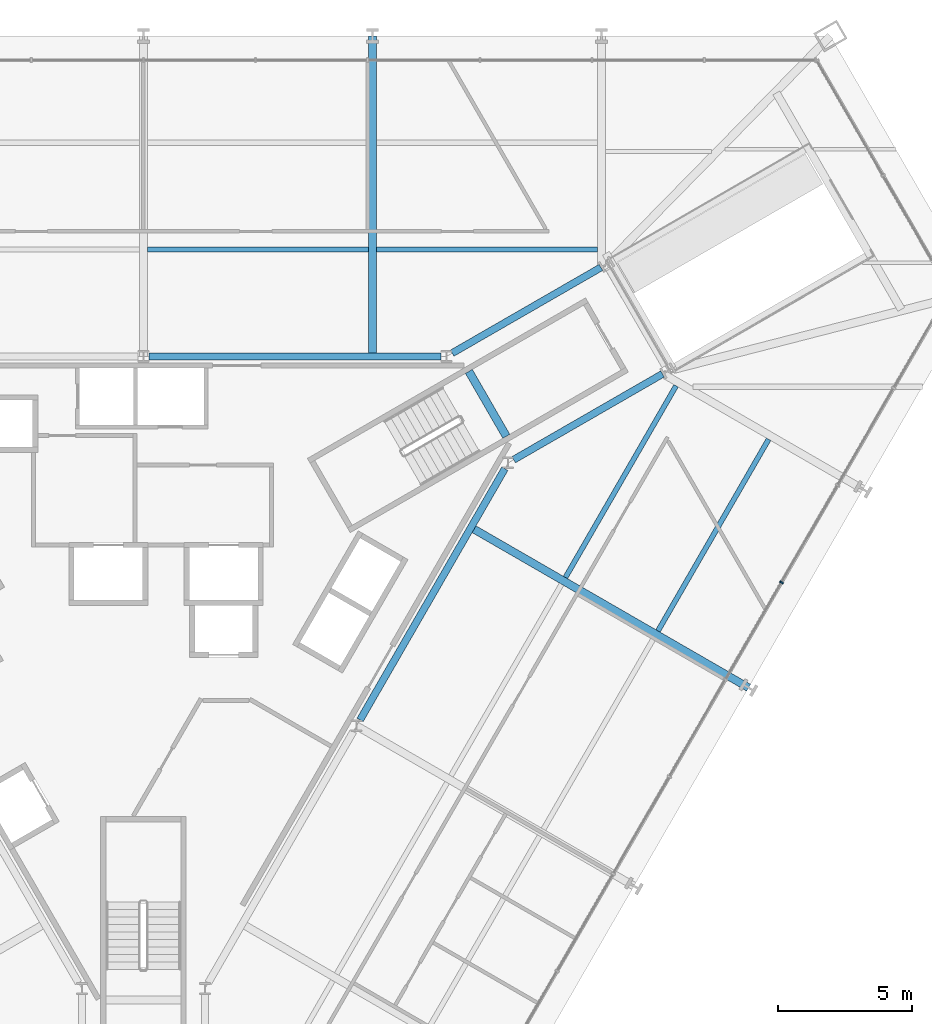
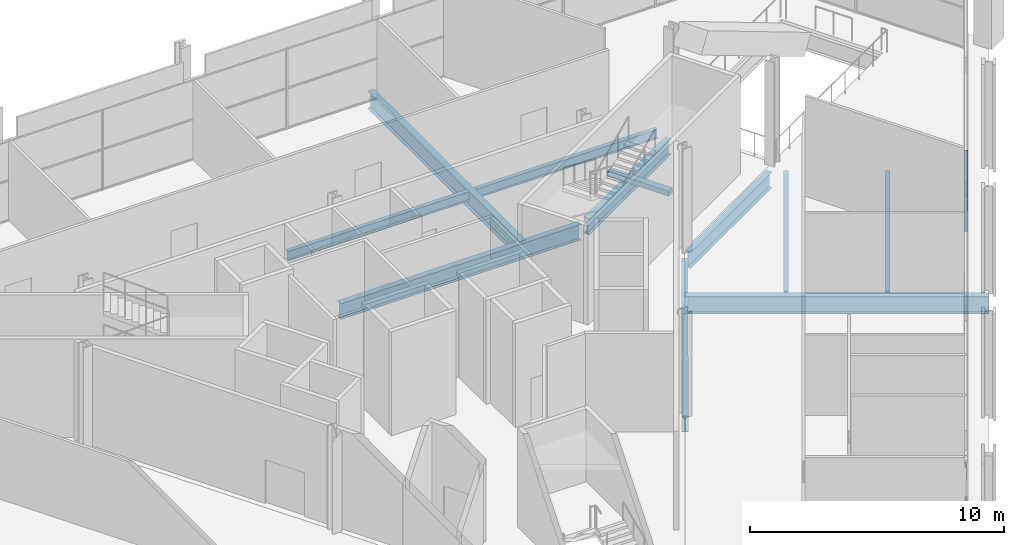
# One storey, part 8 of 20: 11 beams, 1 member, 1 element without a shape of its own.
"""IFC4 building model written with IfcOpenShell, lengths in metres."""

from ifc_helpers import new_model, si_unit, direction, frame, origin, origin_2d, place, context, subcontext, project, spatial, rectangle, i_section, extrude, material, layer, layer_set, material_profile, profile_set, type_object, element, aggregate, save


model = new_model("IFC4")

# Units and contexts
model_context = context("Model", 3, precision=1e-05, world=origin(), true_north=direction((0.0, 1.0)))
body_context = subcontext(model_context, "Body", "Model", "MODEL_VIEW")
ifc_project = project(units=[si_unit("LENGTHUNIT", "METRE"), si_unit("AREAUNIT", "SQUARE_METRE"), si_unit("VOLUMEUNIT", "CUBIC_METRE"), si_unit("PLANEANGLEUNIT", "RADIAN"), si_unit("MASSUNIT", "GRAM", prefix="KILO")], contexts=[model_context])

# Site, building, storey
site_placement = place(None, origin())
site = spatial("IfcSite", under=ifc_project, at=site_placement, CompositionType="ELEMENT")
building_placement = place(site_placement, origin())
building = spatial("IfcBuilding", under=site, at=building_placement, Name="Verrane Prism Tower", CompositionType="ELEMENT")
storey_placement = place(building_placement, frame((0.0, 0.0, 17.39990234375)))
storey = spatial("IfcBuildingStorey", under=building, at=storey_placement, Name="L02", CompositionType="ELEMENT", Elevation=17.39990234375)

# Curtain wall, member
ifc_material_1 = material(Name="Aluminium and glass curtain wall", Category="aluminium")
ifc_layer = layer(ifc_material_1, 0.199951171875)
ifc_layer_set = layer_set([ifc_layer], Name="CWB-1 retail curtain wall")
curtain_wall_type = type_object("IfcCurtainWallType", Name="CWB-1 retail curtain wall", PredefinedType="NOTDEFINED", material=ifc_layer_set)
curtain_wall_placement = place(storey_placement, origin())
curtain_wall = element("IfcCurtainWall", 1, at=curtain_wall_placement, inside=storey, type_object=curtain_wall_type, Name="Retail curtain wall L02 6", PredefinedType="NOTDEFINED")
ifc_material_2 = material(Name="Aluminium", Category="aluminium")
ifc_material_profile_1 = material_profile(ifc_material_2, rectangle(XDim=0.159912109375, YDim=0.06005859375, at=origin_2d()), Name="CWB-M 60x160 mullion")
ifc_profile_set_1 = profile_set([ifc_material_profile_1], Name="Aluminium")
member_type = type_object("IfcMemberType", Name="CWB-M 60x160 mullion", PredefinedType="MULLION", material=ifc_profile_set_1)
member_placement = place(storey_placement, frame((23.84130859375, 0.75439453125, 0.0), z_axis=(0.0, 0.0, 1.0), x_axis=(-0.866025335097, 0.50000011897, 0.0)))
member = element("IfcMember", 2, at=member_placement, type_object=member_type, Name="CWB26 mullion 10", PredefinedType="MULLION", context=body_context, shape_type="SweptSolid", body=[
    extrude(rectangle(XDim=0.159912109375, YDim=0.06005859375, at=origin_2d()), origin(), (0.0, 0.0, 1.0), 3.89013671875),
])
aggregate(curtain_wall, [member])

# Beams
ifc_material_3 = material(Name="Steel A992", Category="steel")
ifc_material_profile_2 = material_profile(ifc_material_3, i_section(OverallWidth=0.2666015625, OverallDepth=0.76708984375, WebThickness=0.014892578125, FlangeThickness=0.023681640625, FilletRadius=0.0166015625, at=origin_2d()), Name="W30x124")
ifc_profile_set_2 = profile_set([ifc_material_profile_2], Name="Steel A992")
beam_type_1 = type_object("IfcBeamType", Name="Core ring girder W30x124", PredefinedType="BEAM", material=ifc_profile_set_2)
for number, where, z_axis, x_axis, name in (
    (3, (13.835693359375, 5.338623046875, -0.63330078125), (0.866455356291, 0.499254559873, 0.0), (-0.499254559873, 0.866455356291, 0.0), "Core ring girder L02"),
    (4, (17.09423828125, 12.521484375, -0.63330078125), (-0.866455356291, -0.499254559873, 0.0), (0.499254559873, -0.866455356291, 0.0), "Core ring girder L02"),
):
    element("IfcBeam", number, at=place(storey_placement, frame(where, z_axis=z_axis, x_axis=x_axis)), inside=storey, type_object=beam_type_1, Name=name, PredefinedType="BEAM", context=body_context, shape_type="SweptSolid", body=[
        extrude(i_section(OverallWidth=0.2666015625, OverallDepth=0.76708984375, WebThickness=0.014892578125, FlangeThickness=0.023681640625, FilletRadius=0.0166015625, at=origin_2d()), origin(), (0.0, 0.0, 1.0), 6.415283203125),
    ])
beam_1_placement = place(storey_placement, frame((11.124267578125, 9.199951171875, -0.63330078125), z_axis=(-1.0, 0.0, 0.0), x_axis=(0.0, -1.0, 0.0)))
element("IfcBeam", 5, at=beam_1_placement, inside=storey, type_object=beam_type_1, Name="Core ring girder L02", PredefinedType="BEAM", context=body_context, shape_type="SweptSolid", body=[
    extrude(i_section(OverallWidth=0.2666015625, OverallDepth=0.76708984375, WebThickness=0.014892578125, FlangeThickness=0.023681640625, FilletRadius=0.0166015625, at=origin_2d()), origin(), (0.0, 0.0, 1.0), 10.91845703125),
])
beam_2_placement = place(storey_placement, frame((8.09521484375, -4.3828125, -0.63330078125), z_axis=(0.499373178085, 0.866386997253, 0.0), x_axis=(-0.866386997253, 0.499373178085, 0.0)))
element("IfcBeam", 6, at=beam_2_placement, inside=storey, type_object=beam_type_1, Name="Core ring girder L02", PredefinedType="BEAM", context=body_context, shape_type="SweptSolid", body=[
    extrude(i_section(OverallWidth=0.2666015625, OverallDepth=0.76708984375, WebThickness=0.014892578125, FlangeThickness=0.023681640625, FilletRadius=0.0166015625, at=origin_2d()), origin(), (0.0, 0.0, 1.0), 10.8330078125),
])
ifc_material_4 = material(Name="Steel A992", Category="steel")
ifc_material_profile_3 = material_profile(ifc_material_4, i_section(OverallWidth=0.1904296875, OverallDepth=0.457275390625, WebThickness=0.009033203125, FlangeThickness=0.014404296875, FilletRadius=0.01025390625, at=origin_2d()), Name="W18x50")
ifc_profile_set_3 = profile_set([ifc_material_profile_3], Name="Steel A992")
beam_type_2 = type_object("IfcBeamType", Name="Floor beam W18x50", PredefinedType="BEAM", material=ifc_profile_set_3)
beam_3_placement = place(storey_placement, frame((8.7060546875, 13.18994140625, -0.388427734375), z_axis=(1.0, 0.0, 0.0), x_axis=(0.0, 1.0, 0.0)))
element("IfcBeam", 7, at=beam_3_placement, inside=storey, type_object=beam_type_2, Name="Floor beam L02", PredefinedType="BEAM", context=body_context, shape_type="SweptSolid", body=[
    extrude(i_section(OverallWidth=0.1904296875, OverallDepth=0.457275390625, WebThickness=0.009033203125, FlangeThickness=0.014404296875, FilletRadius=0.01025390625, at=origin_2d()), origin(), (0.0, 0.0, 1.0), 8.258056640625),
])
beam_4_placement = place(storey_placement, frame((0.14599609375, 13.18994140625, -0.388427734375), z_axis=(1.0, 0.0, 0.0), x_axis=(0.0, 1.0, 0.0)))
element("IfcBeam", 8, at=beam_4_placement, inside=storey, type_object=beam_type_2, Name="Floor beam L02", PredefinedType="BEAM", context=body_context, shape_type="SweptSolid", body=[
    extrude(i_section(OverallWidth=0.1904296875, OverallDepth=0.457275390625, WebThickness=0.009033203125, FlangeThickness=0.014404296875, FilletRadius=0.01025390625, at=origin_2d()), origin(), (0.0, 0.0, 1.0), 8.26806640625),
])
beam_5_placement = place(storey_placement, frame((19.226806640625, -1.05712890625, -0.388427734375), z_axis=(0.500005423512, 0.866022272496, 0.0), x_axis=(-0.866022272496, 0.500005423512, 0.0)))
element("IfcBeam", 9, at=beam_5_placement, inside=storey, type_object=beam_type_2, Name="Floor beam L02", PredefinedType="BEAM", context=body_context, shape_type="SweptSolid", body=[
    extrude(i_section(OverallWidth=0.1904296875, OverallDepth=0.457275390625, WebThickness=0.009033203125, FlangeThickness=0.014404296875, FilletRadius=0.01025390625, at=origin_2d()), origin(), (0.0, 0.0, 1.0), 8.26513671875),
])
beam_6_placement = place(storey_placement, frame((15.769287109375, 0.93994140625, -0.388427734375), z_axis=(0.500018214608, 0.86601488732, 0.0), x_axis=(-0.86601488732, 0.500018214608, 0.0)))
element("IfcBeam", 10, at=beam_6_placement, inside=storey, type_object=beam_type_2, Name="Floor beam L02", PredefinedType="BEAM", context=body_context, shape_type="SweptSolid", body=[
    extrude(i_section(OverallWidth=0.1904296875, OverallDepth=0.457275390625, WebThickness=0.009033203125, FlangeThickness=0.014404296875, FilletRadius=0.01025390625, at=origin_2d()), origin(), (0.0, 0.0, 1.0), 8.264892578125),
])
ifc_material_5 = material(Name="Steel A992", Category="steel")
ifc_material_profile_4 = material_profile(ifc_material_5, i_section(OverallWidth=0.2919921875, OverallDepth=0.845703125, WebThickness=0.015380859375, FlangeThickness=0.0244140625, FilletRadius=0.017822265625, at=origin_2d()), Name="W33x141")
ifc_profile_set_4 = profile_set([ifc_material_profile_4], Name="Steel A992")
beam_type_3 = type_object("IfcBeamType", Name="Radial girder W33x141", PredefinedType="BEAM", material=ifc_profile_set_4)
beam_7_placement = place(storey_placement, frame((8.56005859375, 21.169921875, -0.642822265625), z_axis=(0.0, -1.0, 0.0), x_axis=(1.0, 0.0, 0.0)))
element("IfcBeam", 11, at=beam_7_placement, inside=storey, type_object=beam_type_3, Name="Radial girder L02", PredefinedType="BEAM", context=body_context, shape_type="SweptSolid", body=[
    extrude(i_section(OverallWidth=0.2919921875, OverallDepth=0.845703125, WebThickness=0.015380859375, FlangeThickness=0.0244140625, FilletRadius=0.017822265625, at=origin_2d()), origin(), (0.0, 0.0, 1.0), 11.969970703125),
])
beam_8_placement = place(storey_placement, frame((22.610107421875, -3.179931640625, -0.642822265625), z_axis=(-0.866031448669, 0.499989529807, 0.0), x_axis=(-0.499989529807, -0.866031448669, 0.0)))
element("IfcBeam", 12, at=beam_8_placement, inside=storey, type_object=beam_type_3, Name="Radial girder L02", PredefinedType="BEAM", context=body_context, shape_type="SweptSolid", body=[
    extrude(i_section(OverallWidth=0.2919921875, OverallDepth=0.845703125, WebThickness=0.015380859375, FlangeThickness=0.0244140625, FilletRadius=0.017822265625, at=origin_2d()), origin(), (0.0, 0.0, 1.0), 11.974853515625),
])
ifc_material_6 = material(Name="Concrete C40/50", Category="concrete")
ifc_material_profile_5 = material_profile(ifc_material_6, rectangle(XDim=0.300048828125, YDim=0.25, at=origin_2d()), Name="RC 300x250")
ifc_profile_set_5 = profile_set([ifc_material_profile_5], Name="Concrete C40/50")
beam_type_4 = type_object("IfcBeamType", Name="Stair landing trimmer beam 300x250 concrete C40/50", PredefinedType="BEAM", material=ifc_profile_set_5)
beam_9_placement = place(storey_placement, frame((12.160400390625, 8.637451171875, 2.175048828125), z_axis=(0.500049511043, -0.865996816683, 0.0), x_axis=(0.865996816683, 0.500049511043, 0.0)))
element("IfcBeam", 13, at=beam_9_placement, inside=storey, type_object=beam_type_4, Name="Stair 1 landing trimmer beam", PredefinedType="BEAM", context=body_context, shape_type="SweptSolid", body=[
    extrude(rectangle(XDim=0.300048828125, YDim=0.25, at=origin_2d()), origin(), (0.0, 0.0, 1.0), 2.800048828125),
])

save(model, "model.ifc")
